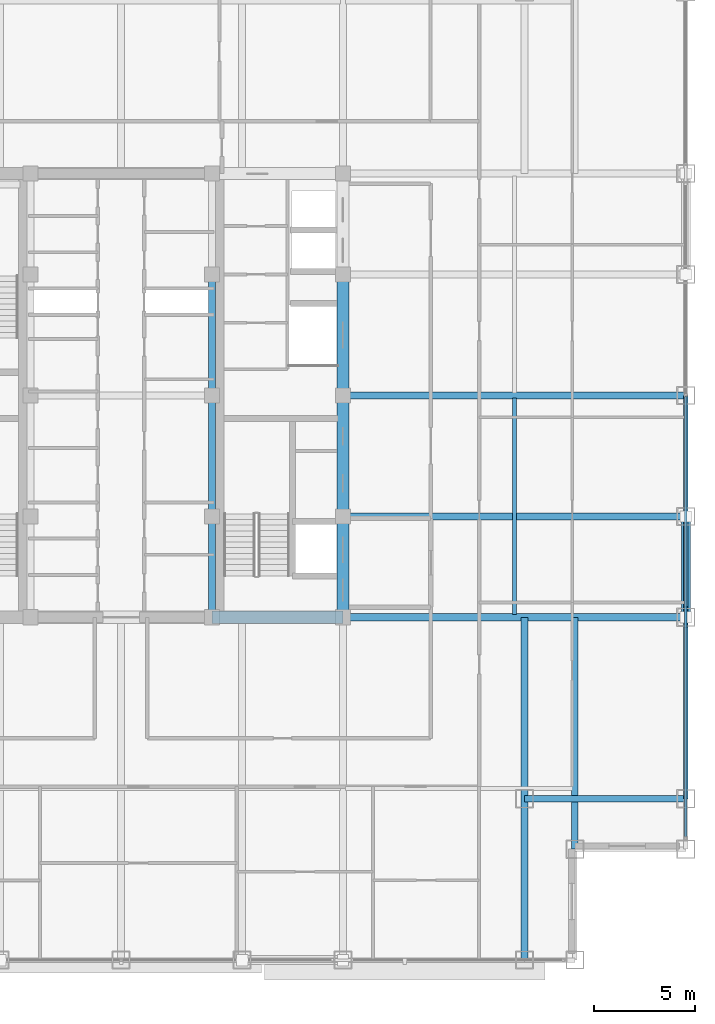
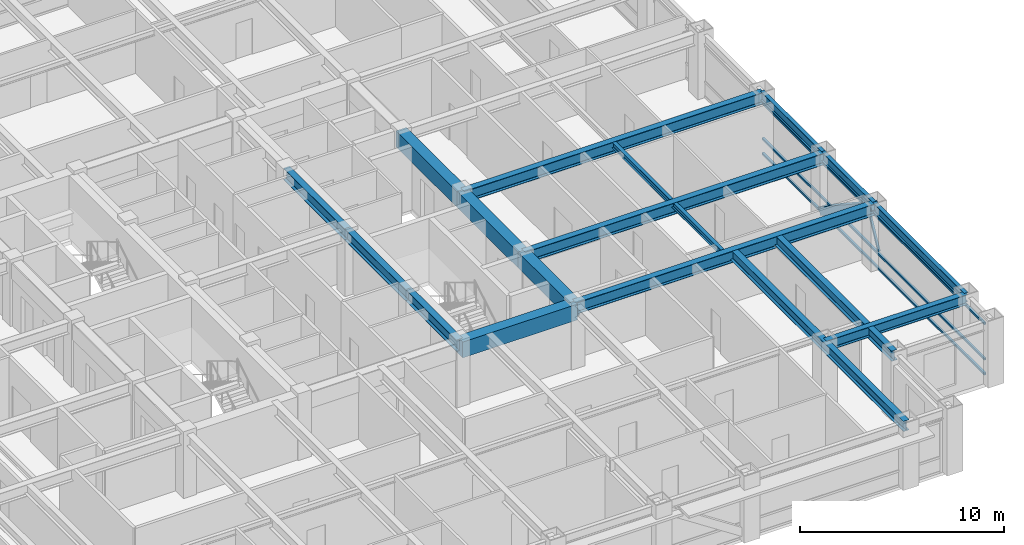
# One storey, part 9 of 27: 17 beams, 5 members, 1 element without a shape of its own.
"""IFC4 building model written with IfcOpenShell, lengths in metres."""

from ifc_helpers import new_model, si_unit, direction, frame, origin, origin_2d, place, context, subcontext, project, spatial, rectangle, hollow_rectangle, i_section, extrude, source, transform, mapped, material, material_profile, profile_set, type_object, element, aggregate, save


model = new_model("IFC4")

# Units and contexts
model_context = context("Model", 3, precision=1e-05, world=origin(), true_north=direction((0.0, 1.0)))
body_context = subcontext(model_context, "Body", "Model", "MODEL_VIEW")
ifc_project = project(units=[si_unit("LENGTHUNIT", "METRE"), si_unit("AREAUNIT", "SQUARE_METRE"), si_unit("VOLUMEUNIT", "CUBIC_METRE"), si_unit("PLANEANGLEUNIT", "RADIAN"), si_unit("MASSUNIT", "GRAM", prefix="KILO")], contexts=[model_context])

# Site, building, storey
site_placement = place(None, origin())
site = spatial("IfcSite", under=ifc_project, at=site_placement, CompositionType="ELEMENT")
building_placement = place(site_placement, origin())
building = spatial("IfcBuilding", under=site, at=building_placement, Name="Khorayat Bourse Tower", CompositionType="ELEMENT")
storey_placement = place(building_placement, frame((0.0, 0.0, 281.5)))
storey = spatial("IfcBuildingStorey", under=building, at=storey_placement, Name="L66", CompositionType="ELEMENT", Elevation=281.5)

# Beams
ifc_material_1 = material(Name="Steel ASTM A992 Grade 50", Category="steel")
ifc_material_profile_1 = material_profile(ifc_material_1, i_section(OverallWidth=0.35498046875, OverallDepth=0.695068359375, WebThickness=0.015380859375, FlangeThickness=0.02490234375, FilletRadius=0.01806640625, at=origin_2d()), Name="W690X217")
ifc_profile_set_1 = profile_set([ifc_material_profile_1], Name="Steel ASTM A992 Grade 50")
beam_type_1 = type_object("IfcBeamType", Name="BM-GIRD-690", PredefinedType="BEAM", material=ifc_profile_set_1)
shared_shape_1 = source(origin(), body_context, "Body", "SweptSolid", [
    extrude(i_section(OverallWidth=0.35498046875, OverallDepth=0.695068359375, WebThickness=0.015380859375, FlangeThickness=0.02490234375, FilletRadius=0.01806640625, at=origin_2d()), origin(), (0.0, 0.0, 1.0), 5.0),
])
beam_1_placement = place(storey_placement, frame((4.5, -11.0, 3.4326171875), z_axis=(0.0, 1.0, 0.0), x_axis=(-1.0, 0.0, 0.0)))
element("IfcBeam", 1, at=beam_1_placement, inside=storey, type_object=beam_type_1, Name="L66 BM-GIRD-690 BM-L66-CRX-09", PredefinedType="BEAM", context=body_context, shape_type="MappedRepresentation", body=[
    mapped(shared_shape_1, transform((0.0, 0.0, 0.0), scale=1.0)),
])
shared_shape_2 = source(origin(), body_context, "Body", "SweptSolid", [
    extrude(i_section(OverallWidth=0.35498046875, OverallDepth=0.695068359375, WebThickness=0.015380859375, FlangeThickness=0.02490234375, FilletRadius=0.01806640625, at=origin_2d()), origin(), (0.0, 0.0, 1.0), 6.0),
])
for number, where, z_axis, x_axis, name in (
    (2, (4.5, -6.0, 3.4326171875), (0.0, 1.0, 0.0), (-1.0, 0.0, 0.0), "L66 BM-GIRD-690 BM-L66-CRX-10"),
    (3, (4.5, 0.0, 3.4326171875), (0.0, 1.0, 0.0), (-1.0, 0.0, 0.0), "L66 BM-GIRD-690 BM-L66-CRX-11"),
):
    element("IfcBeam", number, at=place(storey_placement, frame(where, z_axis=z_axis, x_axis=x_axis)), inside=storey, type_object=beam_type_1, Name=name, PredefinedType="BEAM", context=body_context, shape_type="MappedRepresentation", body=[
        mapped(shared_shape_2, transform((0.0, 0.0, 0.0), scale=1.0)),
    ])
ifc_material_profile_2 = material_profile(ifc_material_1, i_section(OverallWidth=0.324951171875, OverallDepth=0.615966796875, WebThickness=0.013916015625, FlangeThickness=0.021484375, FilletRadius=0.01611328125, at=origin_2d()), Name="W610X174")
ifc_profile_set_2 = profile_set([ifc_material_profile_2], Name="Steel ASTM A992 Grade 50")
beam_type_2 = type_object("IfcBeamType", Name="BM-GIRD-610", PredefinedType="BEAM", material=ifc_profile_set_2)
shared_shape_3 = source(origin(), body_context, "Body", "SweptSolid", [
    extrude(i_section(OverallWidth=0.324951171875, OverallDepth=0.615966796875, WebThickness=0.013916015625, FlangeThickness=0.021484375, FilletRadius=0.01611328125, at=origin_2d()), origin(), (0.0, 0.0, 1.0), 17.0),
])
beam_2_placement = place(storey_placement, frame((20.0, -28.0, 3.471923828125), z_axis=(0.0, 1.0, 0.0), x_axis=(-1.0, 0.0, 0.0)))
element("IfcBeam", 4, at=beam_2_placement, inside=storey, type_object=beam_type_2, Name="L66 BM-GIRD-610 BM-L66-CNRY-086", PredefinedType="BEAM", context=body_context, shape_type="MappedRepresentation", body=[
    mapped(shared_shape_3, transform((0.0, 0.0, 0.0), scale=1.0)),
])
ifc_material_2 = material(Name="Concrete C60/75", Category="concrete")
ifc_material_profile_3 = material_profile(ifc_material_2, rectangle(XDim=0.60009765625, YDim=0.949951171875, at=origin_2d()), Name="RC 600x950")
ifc_profile_set_3 = profile_set([ifc_material_profile_3], Name="Concrete C60/75")
beam_type_3 = type_object("IfcBeamType", Name="BM-COUP-950", PredefinedType="BEAM", material=ifc_profile_set_3)
shared_shape_4 = source(origin(), body_context, "Body", "SweptSolid", [
    extrude(rectangle(XDim=0.60009765625, YDim=0.949951171875, at=origin_2d()), origin(), (0.0, 0.0, 1.0), 5.0),
])
beam_3_placement = place(storey_placement, frame((11.0, -11.0, 3.304931640625), z_axis=(0.0, 1.0, 0.0), x_axis=(-1.0, 0.0, 0.0)))
element("IfcBeam", 5, at=beam_3_placement, inside=storey, type_object=beam_type_3, Name="L66 BM-COUP-950 BM-L66-CRX-13", PredefinedType="BEAM", context=body_context, shape_type="MappedRepresentation", body=[
    mapped(shared_shape_4, transform((0.0, 0.0, 0.0), scale=1.0)),
])
shared_shape_5 = source(origin(), body_context, "Body", "SweptSolid", [
    extrude(rectangle(XDim=0.60009765625, YDim=0.949951171875, at=origin_2d()), origin(), (0.0, 0.0, 1.0), 6.0),
])
for number, where, z_axis, x_axis, name in (
    (6, (11.0, -6.0, 3.304931640625), (0.0, 1.0, 0.0), (-1.0, 0.0, 0.0), "L66 BM-COUP-950 BM-L66-CRX-14"),
    (7, (11.0, 0.0, 3.304931640625), (0.0, 1.0, 0.0), (-1.0, 0.0, 0.0), "L66 BM-COUP-950 BM-L66-CRX-15"),
):
    element("IfcBeam", number, at=place(storey_placement, frame(where, z_axis=z_axis, x_axis=x_axis)), inside=storey, type_object=beam_type_3, Name=name, PredefinedType="BEAM", context=body_context, shape_type="MappedRepresentation", body=[
        mapped(shared_shape_5, transform((0.0, 0.0, 0.0), scale=1.0)),
    ])
shared_shape_6 = source(origin(), body_context, "Body", "SweptSolid", [
    extrude(rectangle(XDim=0.60009765625, YDim=0.949951171875, at=origin_2d()), origin(), (0.0, 0.0, 1.0), 6.5),
])
beam_4_placement = place(storey_placement, frame((4.5, -11.0, 3.304931640625), z_axis=(1.0, 0.0, 0.0), x_axis=(0.0, 1.0, 0.0)))
element("IfcBeam", 8, at=beam_4_placement, inside=storey, type_object=beam_type_3, Name="L66 BM-COUP-950 BM-L66-CRY-19", PredefinedType="BEAM", context=body_context, shape_type="MappedRepresentation", body=[
    mapped(shared_shape_6, transform((0.0, 0.0, 0.0), scale=1.0)),
])

# Member
ifc_material_3 = material(Name="Steel EN 10025-4 S460M", Category="steel")
ifc_material_profile_4 = material_profile(ifc_material_3, hollow_rectangle(XDim=0.449951171875, YDim=0.449951171875, WallThickness=0.02490234375, at=origin_2d()), Name="HSS 450x450x25")
ifc_profile_set_4 = profile_set([ifc_material_profile_4], Name="Steel EN 10025-4 S460M")
member_type_1 = type_object("IfcMemberType", Name="MBR-TUBE-450", PredefinedType="BRACE", material=ifc_profile_set_4)
shared_shape_7 = source(origin(), body_context, "Body", "SweptSolid", [
    extrude(hollow_rectangle(XDim=0.449951171875, YDim=0.449951171875, WallThickness=0.02490234375, at=origin_2d()), origin(), (0.0, 0.0, 1.0), 5.979736328125),
])
member_1_placement = place(storey_placement, frame((28.0, -11.0, 3.530029296875), z_axis=(0.0, 0.836141536525, -0.548513747227), x_axis=(-1.0, 0.0, 0.0)))
element("IfcMember", 9, at=member_1_placement, inside=storey, type_object=member_type_1, Name="L66 Perimeter Tube Brace 07", PredefinedType="BRACE", context=body_context, shape_type="MappedRepresentation", body=[
    mapped(shared_shape_7, transform((0.0, 0.0, 0.0), scale=1.0)),
])

# Beams
shared_shape_8 = source(origin(), body_context, "Body", "SweptSolid", [
    extrude(i_section(OverallWidth=0.35498046875, OverallDepth=0.695068359375, WebThickness=0.015380859375, FlangeThickness=0.02490234375, FilletRadius=0.01806640625, at=origin_2d()), origin(), (0.0, 0.0, 1.0), 17.0),
])
for number, where, z_axis, x_axis, name in (
    (10, (11.0, -11.0, 3.4326171875), (1.0, 0.0, 0.0), (0.0, 1.0, 0.0), "L66 BM-GIRD-690 BM-L66-RADX-074"),
    (11, (11.0, -6.0, 3.4326171875), (1.0, 0.0, 0.0), (0.0, 1.0, 0.0), "L66 BM-GIRD-690 BM-L66-RADX-076"),
    (12, (11.0, 0.0, 3.4326171875), (1.0, 0.0, 0.0), (0.0, 1.0, 0.0), "L66 BM-GIRD-690 BM-L66-RADX-078"),
):
    element("IfcBeam", number, at=place(storey_placement, frame(where, z_axis=z_axis, x_axis=x_axis)), inside=storey, type_object=beam_type_1, Name=name, PredefinedType="BEAM", context=body_context, shape_type="MappedRepresentation", body=[
        mapped(shared_shape_8, transform((0.0, 0.0, 0.0), scale=1.0)),
    ])
shared_shape_9 = source(origin(), body_context, "Body", "SweptSolid", [
    extrude(i_section(OverallWidth=0.324951171875, OverallDepth=0.615966796875, WebThickness=0.013916015625, FlangeThickness=0.021484375, FilletRadius=0.01611328125, at=origin_2d()), origin(), (0.0, 0.0, 1.0), 11.5),
])
beam_5_placement = place(storey_placement, frame((22.5, -22.5, 3.471923828125), z_axis=(0.0, 1.0, 0.0), x_axis=(-1.0, 0.0, 0.0)))
element("IfcBeam", 13, at=beam_5_placement, inside=storey, type_object=beam_type_2, Name="L66 BM-GIRD-610 BM-L66-CNRY-090", PredefinedType="BEAM", context=body_context, shape_type="MappedRepresentation", body=[
    mapped(shared_shape_9, transform((0.0, 0.0, 0.0), scale=1.0)),
])
shared_shape_10 = source(origin(), body_context, "Body", "SweptSolid", [
    extrude(i_section(OverallWidth=0.324951171875, OverallDepth=0.615966796875, WebThickness=0.013916015625, FlangeThickness=0.021484375, FilletRadius=0.01611328125, at=origin_2d()), origin(), (0.0, 0.0, 1.0), 8.0),
])
beam_6_placement = place(storey_placement, frame((20.0, -20.0, 3.471923828125), z_axis=(1.0, 0.0, 0.0), x_axis=(0.0, 1.0, 0.0)))
element("IfcBeam", 14, at=beam_6_placement, inside=storey, type_object=beam_type_2, Name="L66 BM-GIRD-610 BM-L66-CNRX-092", PredefinedType="BEAM", context=body_context, shape_type="MappedRepresentation", body=[
    mapped(shared_shape_10, transform((0.0, 0.0, 0.0), scale=1.0)),
])
ifc_material_profile_5 = material_profile(ifc_material_1, i_section(OverallWidth=0.202880859375, OverallDepth=0.346923828125, WebThickness=0.0078125, FlangeThickness=0.013427734375, FilletRadius=0.010009765625, at=origin_2d()), Name="W360X64")
ifc_profile_set_5 = profile_set([ifc_material_profile_5], Name="Steel ASTM A992 Grade 50")
beam_type_4 = type_object("IfcBeamType", Name="BM-JOIST-360", PredefinedType="JOIST", material=ifc_profile_set_5)
shared_shape_11 = source(origin(), body_context, "Body", "SweptSolid", [
    extrude(i_section(OverallWidth=0.202880859375, OverallDepth=0.346923828125, WebThickness=0.0078125, FlangeThickness=0.013427734375, FilletRadius=0.010009765625, at=origin_2d()), origin(), (0.0, 0.0, 1.0), 10.740234375),
])
beam_7_placement = place(storey_placement, frame((19.5, -10.8701171875, 3.6064453125), z_axis=(0.0, 1.0, 0.0), x_axis=(-1.0, 0.0, 0.0)))
element("IfcBeam", 15, at=beam_7_placement, inside=storey, type_object=beam_type_4, Name="L66 BM-JOIST-360 BM-L66-JSTY-104", PredefinedType="JOIST", context=body_context, shape_type="MappedRepresentation", body=[
    mapped(shared_shape_11, transform((0.0, 0.0, 0.0), scale=1.0)),
])
ifc_material_profile_6 = material_profile(ifc_material_1, i_section(OverallWidth=0.214111328125, OverallDepth=0.549072265625, WebThickness=0.0146484375, FlangeThickness=0.023681640625, FilletRadius=0.013916015625, at=origin_2d()), Name="W530X138")
ifc_profile_set_6 = profile_set([ifc_material_profile_6], Name="Steel ASTM A992 Grade 50")
beam_type_5 = type_object("IfcBeamType", Name="BM-SPAN-530", PredefinedType="SPANDREL", material=ifc_profile_set_6)
shared_shape_12 = source(origin(), body_context, "Body", "SweptSolid", [
    extrude(i_section(OverallWidth=0.214111328125, OverallDepth=0.549072265625, WebThickness=0.0146484375, FlangeThickness=0.023681640625, FilletRadius=0.013916015625, at=origin_2d()), origin(), (0.0, 0.0, 1.0), 9.0),
])
beam_8_placement = place(storey_placement, frame((28.0, -20.0, 3.505615234375), z_axis=(0.0, 1.0, 0.0), x_axis=(-1.0, 0.0, 0.0)))
element("IfcBeam", 16, at=beam_8_placement, inside=storey, type_object=beam_type_5, Name="L66 BM-SPAN-530 BM-L66-SPN-035", PredefinedType="SPANDREL", context=body_context, shape_type="MappedRepresentation", body=[
    mapped(shared_shape_12, transform((0.0, 0.0, 0.0), scale=1.0)),
])
shared_shape_13 = source(origin(), body_context, "Body", "SweptSolid", [
    extrude(i_section(OverallWidth=0.214111328125, OverallDepth=0.549072265625, WebThickness=0.0146484375, FlangeThickness=0.023681640625, FilletRadius=0.013916015625, at=origin_2d()), origin(), (0.0, 0.0, 1.0), 5.0),
])
beam_9_placement = place(storey_placement, frame((28.0, -11.0, 3.505615234375), z_axis=(0.0, 1.0, 0.0), x_axis=(-1.0, 0.0, 0.0)))
element("IfcBeam", 17, at=beam_9_placement, inside=storey, type_object=beam_type_5, Name="L66 BM-SPAN-530 BM-L66-SPN-036", PredefinedType="SPANDREL", context=body_context, shape_type="MappedRepresentation", body=[
    mapped(shared_shape_13, transform((0.0, 0.0, 0.0), scale=1.0)),
])
shared_shape_14 = source(origin(), body_context, "Body", "SweptSolid", [
    extrude(i_section(OverallWidth=0.214111328125, OverallDepth=0.549072265625, WebThickness=0.0146484375, FlangeThickness=0.023681640625, FilletRadius=0.013916015625, at=origin_2d()), origin(), (0.0, 0.0, 1.0), 6.0),
])
beam_10_placement = place(storey_placement, frame((28.0, -6.0, 3.505615234375), z_axis=(0.0, 1.0, 0.0), x_axis=(-1.0, 0.0, 0.0)))
element("IfcBeam", 18, at=beam_10_placement, inside=storey, type_object=beam_type_5, Name="L66 BM-SPAN-530 BM-L66-SPN-037", PredefinedType="SPANDREL", context=body_context, shape_type="MappedRepresentation", body=[
    mapped(shared_shape_14, transform((0.0, 0.0, 0.0), scale=1.0)),
])

# Curtain wall, members
ifc_material_4 = material(Name="Aluminium EN AW-6063 T6", Category="aluminium")
curtain_wall_type = type_object("IfcCurtainWallType", Name="CW-SYS-04", PredefinedType="NOTDEFINED", material=ifc_material_4)
curtain_wall_placement = place(storey_placement, origin())
curtain_wall = element("IfcCurtainWall", 19, at=curtain_wall_placement, inside=storey, type_object=curtain_wall_type, Name="L66 Curtain Wall CW-L66-E1", PredefinedType="NOTDEFINED")
ifc_material_profile_7 = material_profile(ifc_material_4, hollow_rectangle(XDim=0.1201171875, YDim=0.1201171875, WallThickness=0.0048828125, at=origin_2d()), Name="ALU 120x120x5")
ifc_profile_set_7 = profile_set([ifc_material_profile_7], Name="Aluminium EN AW-6063 T6")
member_type_2 = type_object("IfcMemberType", Name="CWM-DIAG-120", PredefinedType="MULLION", material=ifc_profile_set_7)
shared_shape_15 = source(origin(), body_context, "Body", "SweptSolid", [
    extrude(hollow_rectangle(XDim=0.1201171875, YDim=0.1201171875, WallThickness=0.0048828125, at=origin_2d()), origin(), (0.0, 0.0, 1.0), 2.0791015625),
])
member_2_placement = place(storey_placement, frame((28.0, -11.4541015625, 1.090087890625), z_axis=(0.0, 0.465717394116, 0.884933505309), x_axis=(-1.0, 0.0, 0.0)))
member_2 = element("IfcMember", 20, at=member_2_placement, type_object=member_type_2, Name="CW-L66-E1 Faceted Diagonal Mullion 1", PredefinedType="MULLION", context=body_context, shape_type="MappedRepresentation", body=[
    mapped(shared_shape_15, transform((0.0, 0.0, 0.0), scale=1.0)),
])
ifc_material_profile_8 = material_profile(ifc_material_4, hollow_rectangle(XDim=0.1201171875, YDim=0.1201171875, WallThickness=0.0048828125, at=origin_2d()), Name="ALU 120x120x5")
ifc_profile_set_8 = profile_set([ifc_material_profile_8], Name="Aluminium EN AW-6063 T6")
member_type_3 = type_object("IfcMemberType", Name="CWT-HORZ-120", PredefinedType="USERDEFINED", material=ifc_profile_set_8)
shared_shape_16 = source(origin(), body_context, "Body", "SweptSolid", [
    extrude(hollow_rectangle(XDim=0.1201171875, YDim=0.1201171875, WallThickness=0.0048828125, at=origin_2d()), origin(), (0.0, 0.0, 1.0), 21.81982421875),
])
member_3_placement = place(storey_placement, frame((28.0, -21.8798828125, 0.06005859375), z_axis=(0.0, 1.0, 0.0), x_axis=(-1.0, 0.0, 0.0)))
member_3 = element("IfcMember", 21, at=member_3_placement, type_object=member_type_3, Name="CW-L66-E1 Horizontal Transom 1-1", ObjectType="TRANSOM", PredefinedType="USERDEFINED", context=body_context, shape_type="MappedRepresentation", body=[
    mapped(shared_shape_16, transform((0.0, 0.0, 0.0), scale=1.0)),
])
member_4_placement = place(storey_placement, frame((28.0, -21.8798828125, 0.949951171875), z_axis=(0.0, 1.0, 0.0), x_axis=(-1.0, 0.0, 0.0)))
member_4 = element("IfcMember", 22, at=member_4_placement, type_object=member_type_3, Name="CW-L66-E1 Horizontal Transom 1-2", ObjectType="TRANSOM", PredefinedType="USERDEFINED", context=body_context, shape_type="MappedRepresentation", body=[
    mapped(shared_shape_16, transform((0.0, 0.0, 0.0), scale=1.0)),
])
member_5_placement = place(storey_placement, frame((28.0, -21.8798828125, 3.070068359375), z_axis=(0.0, 1.0, 0.0), x_axis=(-1.0, 0.0, 0.0)))
member_5 = element("IfcMember", 23, at=member_5_placement, type_object=member_type_3, Name="CW-L66-E1 Horizontal Transom 1-3", ObjectType="TRANSOM", PredefinedType="USERDEFINED", context=body_context, shape_type="MappedRepresentation", body=[
    mapped(shared_shape_16, transform((0.0, 0.0, 0.0), scale=1.0)),
])
aggregate(curtain_wall, [member_3, member_4, member_5, member_2])

save(model, "model.ifc")
